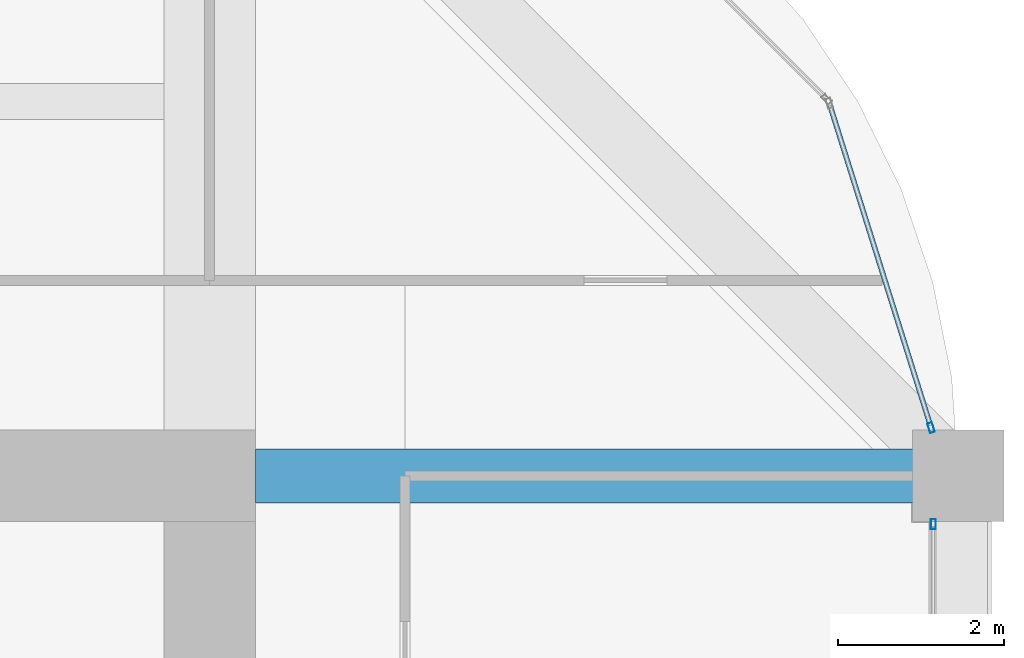
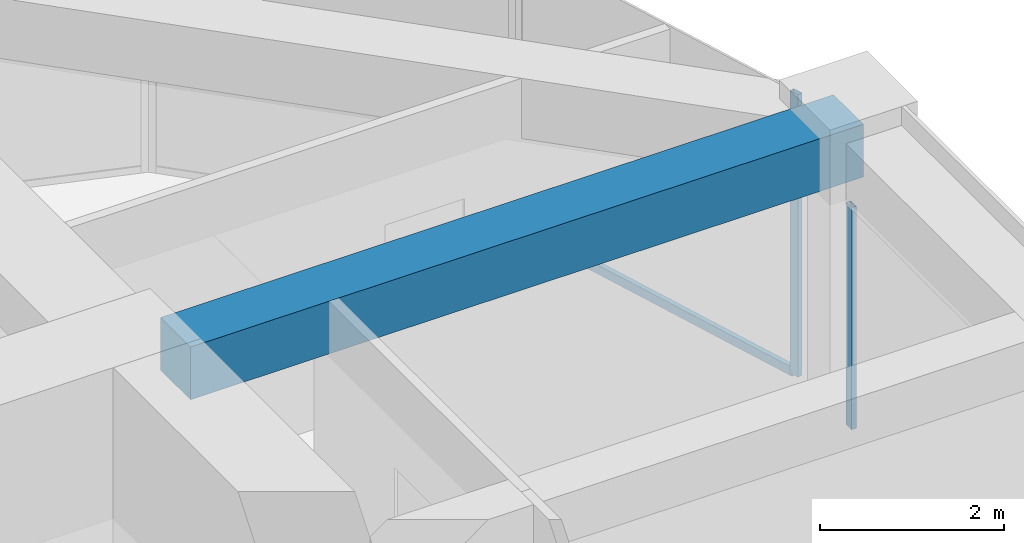
# One storey, part 36 of 44: 3 members, 1 beam, 2 elements without a shape of their own.
"""IFC4 building model written with IfcOpenShell, lengths in metres."""

from ifc_helpers import new_model, si_unit, direction, frame, origin, origin_2d, place, context, subcontext, project, spatial, rectangle, hollow_rectangle, extrude, material, material_profile, profile_set, type_object, element, aggregate, save


model = new_model("IFC4")

# Units and contexts
model_context = context("Model", 3, precision=1e-05, world=origin(), true_north=direction((0.0, 1.0)))
body_context = subcontext(model_context, "Body", "Model", "MODEL_VIEW")
ifc_project = project(units=[si_unit("LENGTHUNIT", "METRE"), si_unit("AREAUNIT", "SQUARE_METRE"), si_unit("VOLUMEUNIT", "CUBIC_METRE"), si_unit("PLANEANGLEUNIT", "RADIAN"), si_unit("MASSUNIT", "GRAM", prefix="KILO")], contexts=[model_context])

# Site, building, storey
site_placement = place(None, origin())
site = spatial("IfcSite", under=ifc_project, at=site_placement, CompositionType="ELEMENT")
building_placement = place(site_placement, origin())
building = spatial("IfcBuilding", under=site, at=building_placement, Name="Zorevar Civic Tower", CompositionType="ELEMENT")
storey_placement = place(building_placement, frame((0.0, 0.0, 255.39990234375)))
storey = spatial("IfcBuildingStorey", under=building, at=storey_placement, Name="L62", CompositionType="ELEMENT", Elevation=255.39990234375)

# Beam
ifc_material_1 = material(Name="Concrete C50/60", Category="concrete")
ifc_material_profile_1 = material_profile(ifc_material_1, rectangle(XDim=0.64990234375, YDim=0.699951171875, at=origin_2d()), Name="RC 650x700")
ifc_profile_set_1 = profile_set([ifc_material_profile_1], Name="Concrete C50/60")
beam_type = type_object("IfcBeamType", Name="Beam RC 650x700", PredefinedType="BEAM", material=ifc_profile_set_1)
beam_placement = place(storey_placement, frame((45.550048828125, 36.0, 3.400146484375), z_axis=(1.0, 0.0, 0.0), x_axis=(0.0, 1.0, 0.0)))
element("IfcBeam", 1, at=beam_placement, inside=storey, type_object=beam_type, Name="Girder L63", PredefinedType="BEAM", context=body_context, shape_type="SweptSolid", body=[
    extrude(rectangle(XDim=0.64990234375, YDim=0.699951171875, at=origin_2d()), origin(), (0.0, 0.0, 1.0), 8.449951171875),
])

# Curtain wall, member
ifc_material_2 = material(Name="Dark grey solar-control glass in black aluminium frame", Category="aluminium")
curtain_wall_type = type_object("IfcCurtainWallType", Name="Curtain wall CW5 top zone", PredefinedType="NOTDEFINED", material=ifc_material_2)
curtain_wall_1_placement = place(storey_placement, origin())
curtain_wall_1 = element("IfcCurtainWall", 2, at=curtain_wall_1_placement, inside=storey, type_object=curtain_wall_type, Name="CW5 L62", PredefinedType="NOTDEFINED")
ifc_material_3 = material(Name="Aluminium, black anodised", Category="aluminium")
ifc_material_profile_2 = material_profile(ifc_material_3, hollow_rectangle(XDim=0.06005859375, YDim=0.1201171875, WallThickness=0.0029296875, at=origin_2d()), Name="AL 120x60x3")
ifc_profile_set_2 = profile_set([ifc_material_profile_2], Name="Aluminium, black anodised")
member_type_1 = type_object("IfcMemberType", Name="CW5 mullion AL 120x60x3", PredefinedType="MULLION", material=ifc_profile_set_2)
member_1_placement = place(storey_placement, frame((53.699951171875, 35.419921875, 0.0), z_axis=(0.0, 0.0, 1.0), x_axis=(-1.0, 0.0, 0.0)))
member_1 = element("IfcMember", 3, at=member_1_placement, type_object=member_type_1, Name="CW5 mullion 3", PredefinedType="MULLION", context=body_context, shape_type="SweptSolid", body=[
    extrude(hollow_rectangle(XDim=0.06005859375, YDim=0.1201171875, WallThickness=0.0029296875, at=origin_2d()), origin(), (0.0, 0.0, 1.0), 2.9501953125),
])
aggregate(curtain_wall_1, [member_1])

# Curtain wall, members
curtain_wall_2_placement = place(storey_placement, origin())
curtain_wall_2 = element("IfcCurtainWall", 4, at=curtain_wall_2_placement, inside=storey, type_object=curtain_wall_type, Name="CW5 L62", PredefinedType="NOTDEFINED")
member_2_placement = place(storey_placement, frame((53.673583984375, 36.57861328125, 0.0), z_axis=(0.0, 0.0, 1.0), x_axis=(-0.954153437674, -0.299317920238, 0.0)))
member_2 = element("IfcMember", 5, at=member_2_placement, type_object=member_type_1, Name="CW5 mullion 1", PredefinedType="MULLION", context=body_context, shape_type="SweptSolid", body=[
    extrude(hollow_rectangle(XDim=0.06005859375, YDim=0.1201171875, WallThickness=0.0029296875, at=origin_2d()), origin(), (0.0, 0.0, 1.0), 3.75),
])
ifc_material_4 = material(Name="Aluminium, black anodised", Category="aluminium")
ifc_material_profile_3 = material_profile(ifc_material_4, hollow_rectangle(XDim=0.06005859375, YDim=0.1201171875, WallThickness=0.0029296875, at=origin_2d()), Name="AL 120x60x3")
ifc_profile_set_3 = profile_set([ifc_material_profile_3], Name="Aluminium, black anodised")
member_type_2 = type_object("IfcMemberType", Name="CW5 transom AL 120x60x3", PredefinedType="USERDEFINED", material=ifc_profile_set_3)
member_3_placement = place(storey_placement, frame((53.66455078125, 36.607177734375, 0.030029296875), z_axis=(-0.299285978047, 0.954163457351, 0.0), x_axis=(-0.954163457351, -0.299285978047, 0.0)))
member_3 = element("IfcMember", 6, at=member_3_placement, type_object=member_type_2, Name="CW5 sill transom", ObjectType="TRANSOM", PredefinedType="USERDEFINED", context=body_context, shape_type="SweptSolid", body=[
    extrude(hollow_rectangle(XDim=0.06005859375, YDim=0.1201171875, WallThickness=0.0029296875, at=origin_2d()), origin(), (0.0, 0.0, 1.0), 4.028076171875),
])
aggregate(curtain_wall_2, [member_2, member_3])

save(model, "model.ifc")
